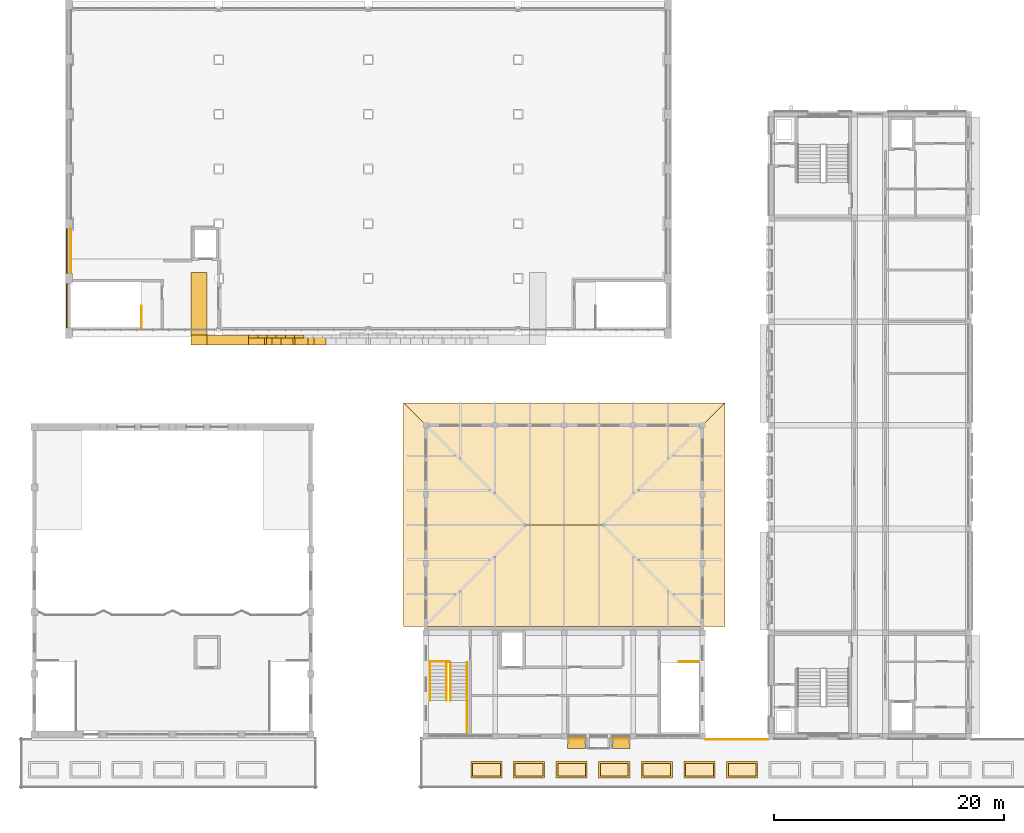
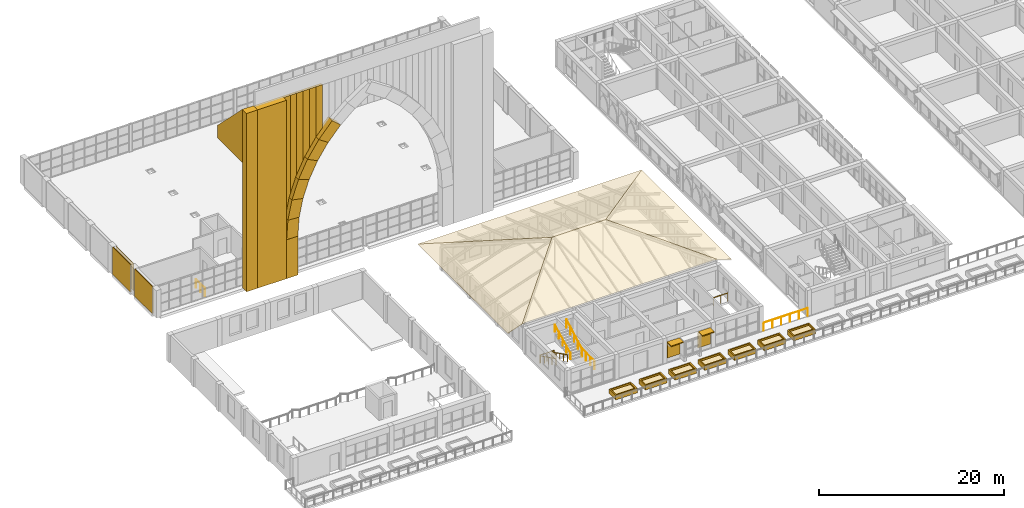
# One storey, part 69 of 82: 37 coverings, 8 railings, 4 shading devices.
"""IFC4 building model written with IfcOpenShell, lengths in metres."""

from ifc_helpers import new_model, si_unit, direction, frame, frame_2d, origin, origin_2d, place, context, subcontext, project, spatial, polyline, rectangle, circle, outline, extrude, material, layer, layer_set, type_object, element, save


model = new_model("IFC4")

# Units and contexts
model_context = context("Model", 3, precision=1e-05, world=origin(), true_north=direction((0.0, 1.0)))
body_context = subcontext(model_context, "Body", "Model", "MODEL_VIEW")
ifc_project = project(units=[si_unit("LENGTHUNIT", "METRE"), si_unit("AREAUNIT", "SQUARE_METRE"), si_unit("VOLUMEUNIT", "CUBIC_METRE"), si_unit("PLANEANGLEUNIT", "RADIAN"), si_unit("MASSUNIT", "GRAM", prefix="KILO")], contexts=[model_context])

# Site, building, storey
site_placement = place(None, origin())
site = spatial("IfcSite", under=ifc_project, at=site_placement, CompositionType="ELEMENT")
building_placement = place(site_placement, origin())
building = spatial("IfcBuilding", under=site, at=building_placement, Name="Elbe Cascade School", CompositionType="ELEMENT")
storey_placement = place(building_placement, frame((0.0, 0.0, 4.5)))
storey = spatial("IfcBuildingStorey", under=building, at=storey_placement, Name="L01", CompositionType="ELEMENT", Elevation=4.5)

# Shading devices
ifc_material_1 = material(Name="Precast concrete C30/37", Category="concrete")
ifc_layer_1 = layer(ifc_material_1, 0.1201171875)
ifc_layer_set_1 = layer_set([ifc_layer_1], Name="Precast concrete C30/37")
shading_device_type_1 = type_object("IfcShadingDeviceType", Name="Cafe chhajja eave 900", PredefinedType="USERDEFINED", material=ifc_layer_set_1)
shading_device_1_placement = place(storey_placement, frame((0.0, 0.0, 2.550048828125)))
element("IfcShadingDevice", 1, at=shading_device_1_placement, inside=storey, type_object=shading_device_type_1, Name="Cafe chhajja eave 900 SD13", ObjectType="CHHAJJA", PredefinedType="USERDEFINED", context=body_context, shape_type="SweptSolid", body=[
    extrude(outline(polyline([(51.300048828125, 4.949951171875), (52.85009765625, 4.949951171875), (52.85009765625, 5.85009765625), (51.300048828125, 5.85009765625), (51.300048828125, 4.949951171875)])), origin(), (0.0, 0.0, 1.0), 0.119873046875),
])
shading_device_2_placement = place(storey_placement, frame((0.0, 0.0, 2.550048828125)))
element("IfcShadingDevice", 2, at=shading_device_2_placement, inside=storey, type_object=shading_device_type_1, Name="Cafe chhajja eave 900 SD13", ObjectType="CHHAJJA", PredefinedType="USERDEFINED", context=body_context, shape_type="SweptSolid", body=[
    extrude(outline(polyline([(55.199951171875, 4.949951171875), (56.699951171875, 4.949951171875), (56.699951171875, 5.85009765625), (55.199951171875, 5.85009765625), (55.199951171875, 4.949951171875)])), origin(), (0.0, 0.0, 1.0), 0.119873046875),
])

# Railings
ifc_material_2 = material(Name="Steel S355J2H balustrade", Category="steel")
railing_type_1 = type_object("IfcRailingType", Name="Cafe guard 1100", PredefinedType="GUARDRAIL", material=ifc_material_2)
railing_1_placement = place(storey_placement, frame((42.570068359375, 6.35009765625, 1.800048828125)))
element("IfcRailing", 3, at=railing_1_placement, inside=storey, type_object=railing_type_1, Name="Cafe guard 1100 RL11", PredefinedType="GUARDRAIL", context=body_context, shape_type="SweptSolid", body=[
    extrude(circle(Radius=0.02490234375, at=origin_2d()), frame((0.0, 0.0, 1.0751953125), z_axis=(0.0, 1.0, 0.0), x_axis=(-1.0, 0.0, 0.0)), (0.0, 0.0, 1.0), 2.75),
    extrude(circle(Radius=0.02490234375, at=origin_2d()), frame((0.0, 2.75, 1.0751953125), z_axis=(0.0, 0.8778781969, 0.478883985332), x_axis=(-1.0, 0.0, 0.0)), (0.0, 0.0, 1.0), 3.7587890625),
    extrude(circle(Radius=0.02001953125, at=origin_2d()), origin(), (0.0, 0.0, 1.0), 1.050048828125),
    extrude(circle(Radius=0.02001953125, at=origin_2d()), frame((0.0, 0.916748046875, 0.0)), (0.0, 0.0, 1.0), 1.050048828125),
    extrude(circle(Radius=0.02001953125, at=origin_2d()), frame((0.0, 1.833251953125, 0.0)), (0.0, 0.0, 1.0), 1.050048828125),
    extrude(circle(Radius=0.02001953125, at=origin_2d()), frame((0.0, 2.75, 0.0)), (0.0, 0.0, 1.0), 1.050048828125),
    extrude(circle(Radius=0.02001953125, at=origin_2d()), frame((0.0, 3.574951171875, 0.449951171875)), (0.0, 0.0, 1.0), 1.050048828125),
    extrude(circle(Radius=0.02001953125, at=origin_2d()), frame((0.0, 4.39990234375, 0.89990234375)), (0.0, 0.0, 1.0), 1.050048828125),
    extrude(circle(Radius=0.02001953125, at=origin_2d()), frame((0.0, 5.224853515625, 1.35009765625)), (0.0, 0.0, 1.0), 1.050048828125),
    extrude(circle(Radius=0.02001953125, at=origin_2d()), frame((0.0, 6.0498046875, 1.800048828125)), (0.0, 0.0, 1.0), 1.050048828125),
])
railing_2_placement = place(storey_placement, frame((39.300048828125, 12.5, 0.0)))
element("IfcRailing", 4, at=railing_2_placement, inside=storey, type_object=railing_type_1, Name="Cafe guard 1100 RL11", PredefinedType="GUARDRAIL", context=body_context, shape_type="SweptSolid", body=[
    extrude(circle(Radius=0.02490234375, at=origin_2d()), frame((0.0, 0.0, 1.0751953125), z_axis=(1.0, 0.0, 0.0), x_axis=(0.0, 1.0, 0.0)), (0.0, 0.0, 1.0), 1.75),
    extrude(circle(Radius=0.02001953125, at=origin_2d()), origin(), (0.0, 0.0, 1.0), 1.050048828125),
    extrude(circle(Radius=0.02001953125, at=origin_2d()), frame((0.875, 0.0, 0.0)), (0.0, 0.0, 1.0), 1.050048828125),
    extrude(circle(Radius=0.02001953125, at=origin_2d()), frame((1.75, 0.0, 0.0)), (0.0, 0.0, 1.0), 1.050048828125),
])
railing_3_placement = place(storey_placement, frame((62.699951171875, 12.5, 0.0)))
element("IfcRailing", 5, at=railing_3_placement, inside=storey, type_object=railing_type_1, Name="Cafe guard 1100 RL11", PredefinedType="GUARDRAIL", context=body_context, shape_type="SweptSolid", body=[
    extrude(circle(Radius=0.02490234375, at=origin_2d()), frame((0.0, 0.0, 1.0751953125), z_axis=(-1.0, 0.0, 0.0), x_axis=(0.0, -1.0, 0.0)), (0.0, 0.0, 1.0), 1.75),
    extrude(circle(Radius=0.02001953125, at=origin_2d()), origin(), (0.0, 0.0, 1.0), 1.050048828125),
    extrude(circle(Radius=0.02001953125, at=origin_2d()), frame((-0.875, 0.0, 0.0)), (0.0, 0.0, 1.0), 1.050048828125),
    extrude(circle(Radius=0.02001953125, at=origin_2d()), frame((-1.75, 0.0, 0.0)), (0.0, 0.0, 1.0), 1.050048828125),
])
ifc_material_3 = material(Name="Steel - stainless handrail", Category="steel")
railing_type_2 = type_object("IfcRailingType", Name="Cafe handrail 900", PredefinedType="HANDRAIL", material=ifc_material_3)
for number, where, name in (
    (6, (39.330078125, 12.39990234375, 0.14990234375), "Cafe handrail 900 RL16"),
    (7, (40.77001953125, 12.39990234375, 0.14990234375), "Cafe handrail 900 RL16"),
):
    element("IfcRailing", number, at=place(storey_placement, frame(where)), inside=storey, type_object=railing_type_2, Name=name, PredefinedType="HANDRAIL", context=body_context, shape_type="SweptSolid", body=[
        extrude(circle(Radius=0.0224609375, at=origin_2d()), frame((0.0, 0.0, 0.87744140625), z_axis=(0.0, -0.894400720042, 0.447266533499), x_axis=(1.0, 0.0, 0.0)), (0.0, 0.0, 1.0), 3.689453125),
        extrude(circle(Radius=0.02001953125, at=origin_2d()), origin(), (0.0, 0.0, 1.0), 0.85498046875),
        extrude(circle(Radius=0.02001953125, at=origin_2d()), frame((0.0, -0.824951171875, 0.41259765625)), (0.0, 0.0, 1.0), 0.85498046875),
        extrude(circle(Radius=0.02001953125, at=origin_2d()), frame((0.0, -1.64990234375, 0.8251953125)), (0.0, 0.0, 1.0), 0.85498046875),
        extrude(circle(Radius=0.02001953125, at=origin_2d()), frame((0.0, -2.474853515625, 1.237548828125)), (0.0, 0.0, 1.0), 0.85498046875),
        extrude(circle(Radius=0.02001953125, at=origin_2d()), frame((0.0, -3.2998046875, 1.650146484375)), (0.0, 0.0, 1.0), 0.85498046875),
    ])
railing_4_placement = place(storey_placement, frame((41.1298828125, 9.10009765625, 1.949951171875)))
element("IfcRailing", 8, at=railing_4_placement, inside=storey, type_object=railing_type_2, Name="Cafe handrail 900 RL16", PredefinedType="HANDRAIL", context=body_context, shape_type="SweptSolid", body=[
    extrude(circle(Radius=0.0224609375, at=origin_2d()), frame((0.0, 0.0, 0.87744140625), z_axis=(0.0, 0.894400720042, 0.447266533499), x_axis=(-1.0, 0.0, 0.0)), (0.0, 0.0, 1.0), 3.689453125),
    extrude(circle(Radius=0.02001953125, at=origin_2d()), origin(), (0.0, 0.0, 1.0), 0.85498046875),
    extrude(circle(Radius=0.02001953125, at=origin_2d()), frame((0.0, 0.824951171875, 0.41259765625)), (0.0, 0.0, 1.0), 0.85498046875),
    extrude(circle(Radius=0.02001953125, at=origin_2d()), frame((0.0, 1.64990234375, 0.8251953125)), (0.0, 0.0, 1.0), 0.85498046875),
    extrude(circle(Radius=0.02001953125, at=origin_2d()), frame((0.0, 2.474853515625, 1.237548828125)), (0.0, 0.0, 1.0), 0.85498046875),
    extrude(circle(Radius=0.02001953125, at=origin_2d()), frame((0.0, 3.2998046875, 1.650146484375)), (0.0, 0.0, 1.0), 0.85498046875),
])

# Shading devices
ifc_material_4 = material(Name="Precast concrete C30/37 jali", Category="concrete")
ifc_layer_2 = layer(ifc_material_4, 0.06005859375)
ifc_layer_set_2 = layer_set([ifc_layer_2], Name="Precast concrete C30/37 jali")
shading_device_type_2 = type_object("IfcShadingDeviceType", Name="Cafe jali screen 1600x2000", PredefinedType="USERDEFINED", material=ifc_layer_set_2)
for number, where, z_axis, x_axis, name in (
    (9, (52.10009765625, 5.820068359375, 0.550048828125), (0.0, 0.0, 1.0), (1.0, 0.0, 0.0), "Cafe jali screen 1600x2000 SD14"),
    (10, (55.89990234375, 5.820068359375, 0.550048828125), (0.0, 0.0, 1.0), (1.0, 0.0, 0.0), "Cafe jali screen 1600x2000 SD14"),
):
    element("IfcShadingDevice", number, at=place(storey_placement, frame(where, z_axis=z_axis, x_axis=x_axis)), inside=storey, type_object=shading_device_type_2, Name=name, ObjectType="JALI", PredefinedType="USERDEFINED", context=body_context, shape_type="SweptSolid", body=[
        extrude(rectangle(XDim=1.60009765625, YDim=0.06005859375, at=origin_2d()), origin(), (0.0, 0.0, 1.0), 2.0),
    ])

# Coverings
ifc_material_5 = material(Name="Clay tile roofing")
ifc_layer_3 = layer(ifc_material_5, 0.030029296875)
ifc_layer_set_3 = layer_set([ifc_layer_3], Name="Clay tile roofing")
covering_type_1 = type_object("IfcCoveringType", Name="Dining roof tiling 30", PredefinedType="ROOFING", material=ifc_layer_set_3)
covering_1_placement = place(storey_placement, frame((47.64990234375, 24.35009765625, 6.5), z_axis=(0.0, -0.322672323805, 0.946510734989), x_axis=(1.0, 0.0, 0.0)))
element("IfcCovering", 11, at=covering_1_placement, inside=storey, type_object=covering_type_1, Name="Dining roof tiling 30 CV3", PredefinedType="ROOFING", context=body_context, shape_type="SweptSolid", body=[
    extrude(outline(polyline([(0.0, 0.0), (6.7001953125, 0.0), (15.5, -9.2973576556667), (-8.7998046875, -9.2973576556667), (0.0, 0.0)])), origin(), (0.0, 0.0, -1.0), 0.030029296875),
])
covering_2_placement = place(storey_placement, frame((38.85009765625, 15.550048828125, 3.5), z_axis=(-0.322665094505, -5.311615e-06, 0.946513199464), x_axis=(-0.946513199478, 2.88e-10, -0.322665094509)))
element("IfcCovering", 12, at=covering_2_placement, inside=storey, type_object=covering_type_1, Name="Dining roof tiling 30 CV3", PredefinedType="ROOFING", context=body_context, shape_type="SweptSolid", body=[
    extrude(outline(polyline([(0.0, 0.0), (1.9017332036743517, 4.235164736271502e-22), (1.9017332092578016, -19.399902343476334), (-9.297126570538696, -8.800048831472264), (0.0, 0.0)])), origin(), (0.0, 0.0, -1.0), 0.030029296875),
])
covering_3_placement = place(storey_placement, frame((63.14990234375, 15.550048828125, 3.5), z_axis=(0.322665094505, -5.311615e-06, 0.946513199464), x_axis=(-0.687408839398, 0.687425313471, 0.234340619435)))
element("IfcCovering", 13, at=covering_3_placement, inside=storey, type_object=covering_type_1, Name="Dining roof tiling 30 CV3", PredefinedType="ROOFING", context=body_context, shape_type="SweptSolid", body=[
    extrude(outline(polyline([(0.0, 0.0), (12.80146170969991, -2.220446049250313e-16), (11.954840554071847, -15.39657713462092), (-1.3811433958795132, -1.3072995440892339), (0.0, 0.0)])), origin(), (0.0, 0.0, -1.0), 0.030029296875),
])
covering_4_placement = place(storey_placement, frame((47.64990234375, 24.35009765625, 6.5), z_axis=(0.0, 0.32266904512, 0.94651185271), x_axis=(-0.687416729663, 0.687416729663, -0.234342654162)))
element("IfcCovering", 14, at=covering_4_placement, inside=storey, type_object=covering_type_1, Name="Dining roof tiling 30 CV3", PredefinedType="ROOFING", context=body_context, shape_type="SweptSolid", body=[
    extrude(outline(polyline([(0.0, 0.0), (15.419836408149955, -1.1102230246251565e-16), (-3.759023218900678, -20.26267243471784), (-4.605826349820417, -4.866105307219205), (0.0, 0.0)])), origin(), (0.0, 0.0, -1.0), 0.030029296875),
])
ifc_material_6 = material(Name="Brick masonry - red clinker", Category="masonry")
ifc_layer_4 = layer(ifc_material_6, 0.10009765625)
ifc_layer_set_4 = layer_set([ifc_layer_4], Name="Brick masonry - red clinker")
covering_type_2 = type_object("IfcCoveringType", Name="Hall brick cladding first storey 3600", PredefinedType="CLADDING", material=ifc_layer_set_4)
for number, where, z_axis, x_axis, name in (
    (15, (7.800048828125, 43.375, 0.0), (0.0, 0.0, 1.0), (1.0, 0.0, 0.0), "Brick cladding W1"),
    (16, (7.800048828125, 48.125, 0.0), (0.0, 0.0, 1.0), (1.0, 0.0, 0.0), "Brick cladding W2"),
):
    element("IfcCovering", number, at=place(storey_placement, frame(where, z_axis=z_axis, x_axis=x_axis)), inside=storey, type_object=covering_type_2, Name=name, PredefinedType="CLADDING", context=body_context, shape_type="SweptSolid", body=[
        extrude(rectangle(XDim=0.10009765625, YDim=3.85009765625, at=origin_2d()), origin(), (0.0, 0.0, 1.0), 3.60009765625),
    ])
ifc_material_7 = material(Name="Timber - impact-resistant panel", Category="wood")
ifc_layer_5 = layer(ifc_material_7, 0.0400390625)
ifc_layer_set_5 = layer_set([ifc_layer_5], Name="Timber - impact-resistant panel")
covering_type_3 = type_object("IfcCoveringType", Name="Hall impact lining lower course 3600", PredefinedType="CLADDING", material=ifc_layer_set_5)
covering_5_placement = place(storey_placement, frame((8.169921875, 48.125, 0.0), z_axis=(0.0, 0.0, 1.0), x_axis=(1.0, 0.0, 0.0)))
element("IfcCovering", 17, at=covering_5_placement, inside=storey, type_object=covering_type_3, Name="Impact lining W2", PredefinedType="CLADDING", context=body_context, shape_type="SweptSolid", body=[
    extrude(rectangle(XDim=0.0400390625, YDim=3.85009765625, at=origin_2d()), origin(), (0.0, 0.0, 1.0), 3.60009765625),
])
ifc_material_8 = material(Name="Sandstone - red, precast facing", Category="masonry")
covering_type_4 = type_object("IfcCoveringType", Name="Hall pishtaq arch band 1400 x 900", PredefinedType="CLADDING", material=ifc_material_8)
covering_6_placement = place(storey_placement, frame((24.300048828125, 40.409912109375, 5.10009765625), z_axis=(0.065434839137, 0.0, 0.997856844356), x_axis=(0.0, 1.0, 0.0)))
element("IfcCovering", 18, at=covering_6_placement, inside=storey, type_object=covering_type_4, Name="Hall pishtaq arch band 1400 x 900 CV90", PredefinedType="CLADDING", context=body_context, shape_type="SweptSolid", body=[
    extrude(rectangle(XDim=0.89990234375, YDim=1.39990234375, at=origin_2d()), origin(), (0.0, 0.0, 1.0), 2.49609375),
])
covering_7_placement = place(storey_placement, frame((24.4501953125, 40.409912109375, 7.49169921875), z_axis=(0.195120333973, 0.0, 0.980779310176), x_axis=(0.0, 1.0, 0.0)))
element("IfcCovering", 19, at=covering_7_placement, inside=storey, type_object=covering_type_4, Name="Hall pishtaq arch band 1400 x 900 CV90", PredefinedType="CLADDING", context=body_context, shape_type="SweptSolid", body=[
    extrude(rectangle(XDim=0.89990234375, YDim=1.39990234375, at=origin_2d()), origin(), (0.0, 0.0, 1.0), 2.546142578125),
])
covering_8_placement = place(storey_placement, frame((24.921142578125, 40.409912109375, 9.892578125), z_axis=(0.321429937708, 0.0, 0.946933363624), x_axis=(0.0, 1.0, 0.0)))
element("IfcCovering", 20, at=covering_8_placement, inside=storey, type_object=covering_type_4, Name="Hall pishtaq arch band 1400 x 900 CV90", PredefinedType="CLADDING", context=body_context, shape_type="SweptSolid", body=[
    extrude(rectangle(XDim=0.89990234375, YDim=1.39990234375, at=origin_2d()), origin(), (0.0, 0.0, 1.0), 2.5458984375),
])
for number, where, z_axis, x_axis, name in (
    (21, (25.701416015625, 40.409912109375, 12.211181640625), (0.442220637859, 0.0, 0.896906298033), (0.0, 1.0, 0.0), "Hall pishtaq arch band 1400 x 900 CV90"),
    (22, (26.777587890625, 40.409912109375, 14.408447265625), (0.555585018202, 0.0, 0.83145973297), (0.0, 1.0, 0.0), "Hall pishtaq arch band 1400 x 900 CV90"),
    (23, (28.13134765625, 40.409912109375, 16.4462890625), (0.659325627554, 0.0, 0.751857511002), (0.0, 1.0, 0.0), "Hall pishtaq arch band 1400 x 900 CV90"),
):
    element("IfcCovering", number, at=place(storey_placement, frame(where, z_axis=z_axis, x_axis=x_axis)), inside=storey, type_object=covering_type_4, Name=name, PredefinedType="CLADDING", context=body_context, shape_type="SweptSolid", body=[
        extrude(rectangle(XDim=0.89990234375, YDim=1.39990234375, at=origin_2d()), origin(), (0.0, 0.0, 1.0), 2.546142578125),
    ])
ifc_material_9 = material(Name="Sandstone - red, precast facing", Category="masonry")
ifc_layer_6 = layer(ifc_material_9, 1.39990234375)
ifc_layer_set_6 = layer_set([ifc_layer_6], Name="Sandstone - red, precast facing")
covering_type_5 = type_object("IfcCoveringType", Name="Hall pishtaq buttress 1400", PredefinedType="CLADDING", material=ifc_layer_set_6)
covering_9_placement = place(storey_placement, frame((19.300048828125, 40.860107421875, 0.0), z_axis=(0.0, 0.0, 1.0), x_axis=(0.0, -1.0, 0.0)))
element("IfcCovering", 24, at=covering_9_placement, inside=storey, type_object=covering_type_5, Name="Hall pishtaq buttress 1400 CV84", PredefinedType="CLADDING", context=body_context, shape_type="SweptSolid", body=[
    extrude(rectangle(XDim=0.900146484375, YDim=1.39990234375, at=frame_2d((0.4501953125, 0.0))), origin(), (0.0, 0.0, 1.0), 23.5),
])
covering_10_placement = place(storey_placement, frame((19.300048828125, 40.860107421875, 16.5283203125), z_axis=(0.0, 0.0, 1.0), x_axis=(0.0, 1.0, 0.0)))
element("IfcCovering", 25, at=covering_10_placement, inside=storey, type_object=covering_type_5, Name="Hall pishtaq buttress 1400 CV84", PredefinedType="CLADDING", context=body_context, shape_type="SweptSolid", body=[
    extrude(outline(polyline([(0.0, 0.0), (5.39990234375, 0.0), (5.39990234375, 1.57177734375), (0.0, 6.9716796875), (0.0, 0.0)])), frame((0.0, 0.699951171875, 0.0), z_axis=(0.0, -1.0, 0.0), x_axis=(1.0, 0.0, 0.0)), (0.0, 0.0, 1.0), 1.39990234375),
])
ifc_material_10 = material(Name="Sandstone - red, precast facing", Category="masonry")
ifc_layer_7 = layer(ifc_material_10, 0.300048828125)
ifc_layer_set_7 = layer_set([ifc_layer_7], Name="Sandstone - red, precast facing")
covering_type_6 = type_object("IfcCoveringType", Name="Hall pishtaq cladding 300", PredefinedType="CLADDING", material=ifc_layer_set_7)
covering_11_placement = place(storey_placement, frame((23.60009765625, 40.7099609375, 5.050048828125), z_axis=(0.0, 0.0, 1.0), x_axis=(1.0, 0.0, 0.0)))
element("IfcCovering", 26, at=covering_11_placement, inside=storey, type_object=covering_type_6, Name="Hall pishtaq cladding 300 CV86", PredefinedType="CLADDING", context=body_context, shape_type="SweptSolid", body=[
    extrude(rectangle(XDim=0.7998046875, YDim=0.300048828125, at=frame_2d((0.39990234375, 0.0))), origin(), (0.0, 0.0, 1.0), 18.449951171875),
])
covering_12_placement = place(storey_placement, frame((24.39990234375, 40.7099609375, 10.563720703125), z_axis=(0.0, 0.0, 1.0), x_axis=(1.0, 0.0, 0.0)))
element("IfcCovering", 27, at=covering_12_placement, inside=storey, type_object=covering_type_6, Name="Hall pishtaq cladding 300 CV86", PredefinedType="CLADDING", context=body_context, shape_type="SweptSolid", body=[
    extrude(rectangle(XDim=0.800048828125, YDim=0.300048828125, at=frame_2d((0.39990234375, 0.0))), origin(), (0.0, 0.0, 1.0), 12.936279296875),
])
covering_13_placement = place(storey_placement, frame((25.199951171875, 40.7099609375, 12.764892578125), z_axis=(0.0, 0.0, 1.0), x_axis=(1.0, 0.0, 0.0)))
element("IfcCovering", 28, at=covering_13_placement, inside=storey, type_object=covering_type_6, Name="Hall pishtaq cladding 300 CV86", PredefinedType="CLADDING", context=body_context, shape_type="SweptSolid", body=[
    extrude(rectangle(XDim=0.800048828125, YDim=0.300048828125, at=frame_2d((0.39990234375, 0.0))), origin(), (0.0, 0.0, 1.0), 10.735107421875),
])
covering_14_placement = place(storey_placement, frame((26.0, 40.7099609375, 14.396728515625), z_axis=(0.0, 0.0, 1.0), x_axis=(1.0, 0.0, 0.0)))
element("IfcCovering", 29, at=covering_14_placement, inside=storey, type_object=covering_type_6, Name="Hall pishtaq cladding 300 CV86", PredefinedType="CLADDING", context=body_context, shape_type="SweptSolid", body=[
    extrude(rectangle(XDim=0.800048828125, YDim=0.300048828125, at=frame_2d((0.39990234375, 0.0))), origin(), (0.0, 0.0, 1.0), 9.103271484375),
])
covering_15_placement = place(storey_placement, frame((26.800048828125, 40.7099609375, 15.723388671875), z_axis=(0.0, 0.0, 1.0), x_axis=(1.0, 0.0, 0.0)))
element("IfcCovering", 30, at=covering_15_placement, inside=storey, type_object=covering_type_6, Name="Hall pishtaq cladding 300 CV86", PredefinedType="CLADDING", context=body_context, shape_type="SweptSolid", body=[
    extrude(rectangle(XDim=0.800048828125, YDim=0.300048828125, at=frame_2d((0.39990234375, 0.0))), origin(), (0.0, 0.0, 1.0), 7.776611328125),
])
covering_16_placement = place(storey_placement, frame((27.60009765625, 40.7099609375, 16.848388671875), z_axis=(0.0, 0.0, 1.0), x_axis=(1.0, 0.0, 0.0)))
element("IfcCovering", 31, at=covering_16_placement, inside=storey, type_object=covering_type_6, Name="Hall pishtaq cladding 300 CV86", PredefinedType="CLADDING", context=body_context, shape_type="SweptSolid", body=[
    extrude(rectangle(XDim=0.7998046875, YDim=0.300048828125, at=frame_2d((0.39990234375, 0.0))), origin(), (0.0, 0.0, 1.0), 6.651611328125),
])
ifc_material_11 = material(Name="Sandstone - red, precast facing", Category="masonry")
ifc_layer_8 = layer(ifc_material_11, 0.89990234375)
ifc_layer_set_8 = layer_set([ifc_layer_8], Name="Sandstone - red, precast facing")
covering_type_7 = type_object("IfcCoveringType", Name="Hall pishtaq pier 900", PredefinedType="CLADDING", material=ifc_layer_set_8)
covering_17_placement = place(storey_placement, frame((20.0, 40.409912109375, 0.0), z_axis=(0.0, 0.0, 1.0), x_axis=(1.0, 0.0, 0.0)))
element("IfcCovering", 32, at=covering_17_placement, inside=storey, type_object=covering_type_7, Name="Hall pishtaq pier 900 CV89", PredefinedType="CLADDING", context=body_context, shape_type="SweptSolid", body=[
    extrude(rectangle(XDim=3.60009765625, YDim=0.89990234375, at=frame_2d((1.800048828125, 0.0))), origin(), (0.0, 0.0, 1.0), 23.5),
])
covering_18_placement = place(storey_placement, frame((23.60009765625, 40.409912109375, 0.0), z_axis=(0.0, 0.0, 1.0), x_axis=(1.0, 0.0, 0.0)))
element("IfcCovering", 33, at=covering_18_placement, inside=storey, type_object=covering_type_7, Name="Hall pishtaq pier 900 CV89", PredefinedType="CLADDING", context=body_context, shape_type="SweptSolid", body=[
    extrude(rectangle(XDim=1.39990234375, YDim=0.89990234375, at=frame_2d((0.699951171875, 0.0))), origin(), (0.0, 0.0, 1.0), 5.10009765625),
])

# Railings
ifc_material_12 = material(Name="Steel - painted guard", Category="steel")
railing_type_3 = type_object("IfcRailingType", Name="Hall stair-well guard", PredefinedType="GUARDRAIL", material=ifc_material_12)
railing_5_placement = place(storey_placement, frame((14.300048828125, 41.5, 0.0)))
element("IfcRailing", 34, at=railing_5_placement, inside=storey, type_object=railing_type_3, Name="Stair-well guard W", PredefinedType="GUARDRAIL", context=body_context, shape_type="SweptSolid", body=[
    extrude(circle(Radius=0.02490234375, at=origin_2d()), frame((0.0, 0.0, 1.0751953125), z_axis=(0.0, 1.0, 0.0), x_axis=(-1.0, 0.0, 0.0)), (0.0, 0.0, 1.0), 1.875),
    extrude(circle(Radius=0.02490234375, at=origin_2d()), origin(), (0.0, 0.0, 1.0), 1.050048828125),
    extrude(circle(Radius=0.02490234375, at=origin_2d()), frame((0.0, 0.9375, 0.0)), (0.0, 0.0, 1.0), 1.050048828125),
    extrude(circle(Radius=0.02490234375, at=origin_2d()), frame((0.0, 1.875, 0.0)), (0.0, 0.0, 1.0), 1.050048828125),
])
ifc_material_13 = material(Name="Steel S355J2H", Category="steel")
railing_type_4 = type_object("IfcRailingType", Name="Quay and steps guard 1100", PredefinedType="GUARDRAIL", material=ifc_material_13)
railing_6_placement = place(storey_placement, frame((63.25, 5.719970703125, 0.0)))
element("IfcRailing", 35, at=railing_6_placement, inside=storey, type_object=railing_type_4, Name="Colonnade roof guard 4", PredefinedType="GUARDRAIL", context=body_context, shape_type="SweptSolid", body=[
    extrude(circle(Radius=0.02392578125, at=origin_2d()), frame((0.0, 0.0, 1.076171875), z_axis=(1.0, 0.0, 0.0), x_axis=(0.0, 1.0, 0.0)), (0.0, 0.0, 1.0), 5.5),
    extrude(circle(Radius=0.02099609375, at=origin_2d()), origin(), (0.0, 0.0, 1.0), 1.052001953125),
    extrude(circle(Radius=0.02099609375, at=origin_2d()), frame((1.10009765625, 0.0, 0.0)), (0.0, 0.0, 1.0), 1.052001953125),
    extrude(circle(Radius=0.02099609375, at=origin_2d()), frame((2.199951171875, 0.0, 0.0)), (0.0, 0.0, 1.0), 1.052001953125),
    extrude(circle(Radius=0.02099609375, at=origin_2d()), frame((3.300048828125, 0.0, 0.0)), (0.0, 0.0, 1.0), 1.052001953125),
    extrude(circle(Radius=0.02099609375, at=origin_2d()), frame((4.39990234375, 0.0, 0.0)), (0.0, 0.0, 1.0), 1.052001953125),
    extrude(circle(Radius=0.02099609375, at=origin_2d()), frame((5.5, 0.0, 0.0)), (0.0, 0.0, 1.0), 1.052001953125),
])

# Coverings
ifc_material_14 = material(Name="Planting - soil and shrubs", Category="soil")
ifc_layer_9 = layer(ifc_material_14, 0.39990234375)
ifc_layer_set_9 = layer_set([ifc_layer_9], Name="Planting - soil and shrubs")
covering_type_8 = type_object("IfcCoveringType", Name="Site planting bed 400", PredefinedType="USERDEFINED", material=ifc_layer_set_9)
covering_19_placement = place(storey_placement, frame((0.0, 0.0, 0.0400390625)))
element("IfcCovering", 36, at=covering_19_placement, inside=storey, type_object=covering_type_8, Name="Colonnade roof planting bed 7", ObjectType="PLANTING BED", PredefinedType="USERDEFINED", context=body_context, shape_type="SweptSolid", body=[
    extrude(outline(polyline([(43.050048828125, 2.550048828125), (45.449951171875, 2.550048828125), (45.449951171875, 3.64990234375), (43.050048828125, 3.64990234375), (43.050048828125, 2.550048828125)])), origin(), (0.0, 0.0, 1.0), 0.39990234375),
])
covering_20_placement = place(storey_placement, frame((0.0, 0.0, 0.0400390625)))
element("IfcCovering", 37, at=covering_20_placement, inside=storey, type_object=covering_type_8, Name="Colonnade roof planting bed 8", ObjectType="PLANTING BED", PredefinedType="USERDEFINED", context=body_context, shape_type="SweptSolid", body=[
    extrude(outline(polyline([(46.75, 2.550048828125), (49.14990234375, 2.550048828125), (49.14990234375, 3.64990234375), (46.75, 3.64990234375), (46.75, 2.550048828125)])), origin(), (0.0, 0.0, 1.0), 0.39990234375),
])
covering_21_placement = place(storey_placement, frame((0.0, 0.0, 0.0400390625)))
element("IfcCovering", 38, at=covering_21_placement, inside=storey, type_object=covering_type_8, Name="Colonnade roof planting bed 9", ObjectType="PLANTING BED", PredefinedType="USERDEFINED", context=body_context, shape_type="SweptSolid", body=[
    extrude(outline(polyline([(50.449951171875, 2.550048828125), (52.85009765625, 2.550048828125), (52.85009765625, 3.64990234375), (50.449951171875, 3.64990234375), (50.449951171875, 2.550048828125)])), origin(), (0.0, 0.0, 1.0), 0.39990234375),
])
covering_22_placement = place(storey_placement, frame((0.0, 0.0, 0.0400390625)))
element("IfcCovering", 39, at=covering_22_placement, inside=storey, type_object=covering_type_8, Name="Colonnade roof planting bed 10", ObjectType="PLANTING BED", PredefinedType="USERDEFINED", context=body_context, shape_type="SweptSolid", body=[
    extrude(outline(polyline([(54.14990234375, 2.550048828125), (56.550048828125, 2.550048828125), (56.550048828125, 3.64990234375), (54.14990234375, 3.64990234375), (54.14990234375, 2.550048828125)])), origin(), (0.0, 0.0, 1.0), 0.39990234375),
])
covering_23_placement = place(storey_placement, frame((0.0, 0.0, 0.0400390625)))
element("IfcCovering", 40, at=covering_23_placement, inside=storey, type_object=covering_type_8, Name="Colonnade roof planting bed 11", ObjectType="PLANTING BED", PredefinedType="USERDEFINED", context=body_context, shape_type="SweptSolid", body=[
    extrude(outline(polyline([(57.85009765625, 2.550048828125), (60.25, 2.550048828125), (60.25, 3.64990234375), (57.85009765625, 3.64990234375), (57.85009765625, 2.550048828125)])), origin(), (0.0, 0.0, 1.0), 0.39990234375),
])
covering_24_placement = place(storey_placement, frame((0.0, 0.0, 0.0400390625)))
element("IfcCovering", 41, at=covering_24_placement, inside=storey, type_object=covering_type_8, Name="Colonnade roof planting bed 12", ObjectType="PLANTING BED", PredefinedType="USERDEFINED", context=body_context, shape_type="SweptSolid", body=[
    extrude(outline(polyline([(61.550048828125, 2.550048828125), (63.949951171875, 2.550048828125), (63.949951171875, 3.64990234375), (61.550048828125, 3.64990234375), (61.550048828125, 2.550048828125)])), origin(), (0.0, 0.0, 1.0), 0.39990234375),
])
covering_25_placement = place(storey_placement, frame((0.0, 0.0, 0.0400390625)))
element("IfcCovering", 42, at=covering_25_placement, inside=storey, type_object=covering_type_8, Name="Colonnade roof planting bed 13", ObjectType="PLANTING BED", PredefinedType="USERDEFINED", context=body_context, shape_type="SweptSolid", body=[
    extrude(outline(polyline([(65.25, 2.550048828125), (67.64990234375, 2.550048828125), (67.64990234375, 3.64990234375), (65.25, 3.64990234375), (65.25, 2.550048828125)])), origin(), (0.0, 0.0, 1.0), 0.39990234375),
])
ifc_material_15 = material(Name="Concrete C30/37 precast kerb", Category="concrete")
ifc_layer_10 = layer(ifc_material_15, 0.14990234375)
ifc_layer_set_10 = layer_set([ifc_layer_10], Name="Concrete C30/37 precast kerb")
covering_type_9 = type_object("IfcCoveringType", Name="Site planting bed kerb 150x600", PredefinedType="CLADDING", material=ifc_layer_set_10)
covering_26_placement = place(storey_placement, frame((0.0, 0.0, 0.0400390625)))
element("IfcCovering", 43, at=covering_26_placement, inside=storey, type_object=covering_type_9, Name="Colonnade roof planting bed kerb 7", PredefinedType="CLADDING", context=body_context, shape_type="SweptSolid", body=[
    extrude(outline(polyline([(42.89990234375, 2.39990234375), (45.60009765625, 2.39990234375), (45.60009765625, 3.800048828125), (42.89990234375, 3.800048828125), (42.89990234375, 2.39990234375)]), holes=[polyline([(43.050048828125, 2.550048828125), (45.449951171875, 2.550048828125), (45.449951171875, 3.64990234375), (43.050048828125, 3.64990234375), (43.050048828125, 2.550048828125)])]), origin(), (0.0, 0.0, 1.0), 0.599853515625),
])
covering_27_placement = place(storey_placement, frame((0.0, 0.0, 0.0400390625)))
element("IfcCovering", 44, at=covering_27_placement, inside=storey, type_object=covering_type_9, Name="Colonnade roof planting bed kerb 8", PredefinedType="CLADDING", context=body_context, shape_type="SweptSolid", body=[
    extrude(outline(polyline([(46.60009765625, 2.39990234375), (49.300048828125, 2.39990234375), (49.300048828125, 3.800048828125), (46.60009765625, 3.800048828125), (46.60009765625, 2.39990234375)]), holes=[polyline([(46.75, 2.550048828125), (49.14990234375, 2.550048828125), (49.14990234375, 3.64990234375), (46.75, 3.64990234375), (46.75, 2.550048828125)])]), origin(), (0.0, 0.0, 1.0), 0.599853515625),
])
covering_28_placement = place(storey_placement, frame((0.0, 0.0, 0.0400390625)))
element("IfcCovering", 45, at=covering_28_placement, inside=storey, type_object=covering_type_9, Name="Colonnade roof planting bed kerb 9", PredefinedType="CLADDING", context=body_context, shape_type="SweptSolid", body=[
    extrude(outline(polyline([(50.300048828125, 2.39990234375), (53.0, 2.39990234375), (53.0, 3.800048828125), (50.300048828125, 3.800048828125), (50.300048828125, 2.39990234375)]), holes=[polyline([(50.449951171875, 2.550048828125), (52.85009765625, 2.550048828125), (52.85009765625, 3.64990234375), (50.449951171875, 3.64990234375), (50.449951171875, 2.550048828125)])]), origin(), (0.0, 0.0, 1.0), 0.599853515625),
])
covering_29_placement = place(storey_placement, frame((0.0, 0.0, 0.0400390625)))
element("IfcCovering", 46, at=covering_29_placement, inside=storey, type_object=covering_type_9, Name="Colonnade roof planting bed kerb 10", PredefinedType="CLADDING", context=body_context, shape_type="SweptSolid", body=[
    extrude(outline(polyline([(54.0, 2.39990234375), (56.699951171875, 2.39990234375), (56.699951171875, 3.800048828125), (54.0, 3.800048828125), (54.0, 2.39990234375)]), holes=[polyline([(54.14990234375, 2.550048828125), (56.550048828125, 2.550048828125), (56.550048828125, 3.64990234375), (54.14990234375, 3.64990234375), (54.14990234375, 2.550048828125)])]), origin(), (0.0, 0.0, 1.0), 0.599853515625),
])
covering_30_placement = place(storey_placement, frame((0.0, 0.0, 0.0400390625)))
element("IfcCovering", 47, at=covering_30_placement, inside=storey, type_object=covering_type_9, Name="Colonnade roof planting bed kerb 11", PredefinedType="CLADDING", context=body_context, shape_type="SweptSolid", body=[
    extrude(outline(polyline([(57.699951171875, 2.39990234375), (60.39990234375, 2.39990234375), (60.39990234375, 3.800048828125), (57.699951171875, 3.800048828125), (57.699951171875, 2.39990234375)]), holes=[polyline([(57.85009765625, 2.550048828125), (60.25, 2.550048828125), (60.25, 3.64990234375), (57.85009765625, 3.64990234375), (57.85009765625, 2.550048828125)])]), origin(), (0.0, 0.0, 1.0), 0.599853515625),
])
covering_31_placement = place(storey_placement, frame((0.0, 0.0, 0.0400390625)))
element("IfcCovering", 48, at=covering_31_placement, inside=storey, type_object=covering_type_9, Name="Colonnade roof planting bed kerb 12", PredefinedType="CLADDING", context=body_context, shape_type="SweptSolid", body=[
    extrude(outline(polyline([(61.39990234375, 2.39990234375), (64.10009765625, 2.39990234375), (64.10009765625, 3.800048828125), (61.39990234375, 3.800048828125), (61.39990234375, 2.39990234375)]), holes=[polyline([(61.550048828125, 2.550048828125), (63.949951171875, 2.550048828125), (63.949951171875, 3.64990234375), (61.550048828125, 3.64990234375), (61.550048828125, 2.550048828125)])]), origin(), (0.0, 0.0, 1.0), 0.599853515625),
])
covering_32_placement = place(storey_placement, frame((0.0, 0.0, 0.0400390625)))
element("IfcCovering", 49, at=covering_32_placement, inside=storey, type_object=covering_type_9, Name="Colonnade roof planting bed kerb 13", PredefinedType="CLADDING", context=body_context, shape_type="SweptSolid", body=[
    extrude(outline(polyline([(65.10009765625, 2.39990234375), (67.800048828125, 2.39990234375), (67.800048828125, 3.800048828125), (65.10009765625, 3.800048828125), (65.10009765625, 2.39990234375)]), holes=[polyline([(65.25, 2.550048828125), (67.64990234375, 2.550048828125), (67.64990234375, 3.64990234375), (65.25, 3.64990234375), (65.25, 2.550048828125)])]), origin(), (0.0, 0.0, 1.0), 0.599853515625),
])

save(model, "model.ifc")
